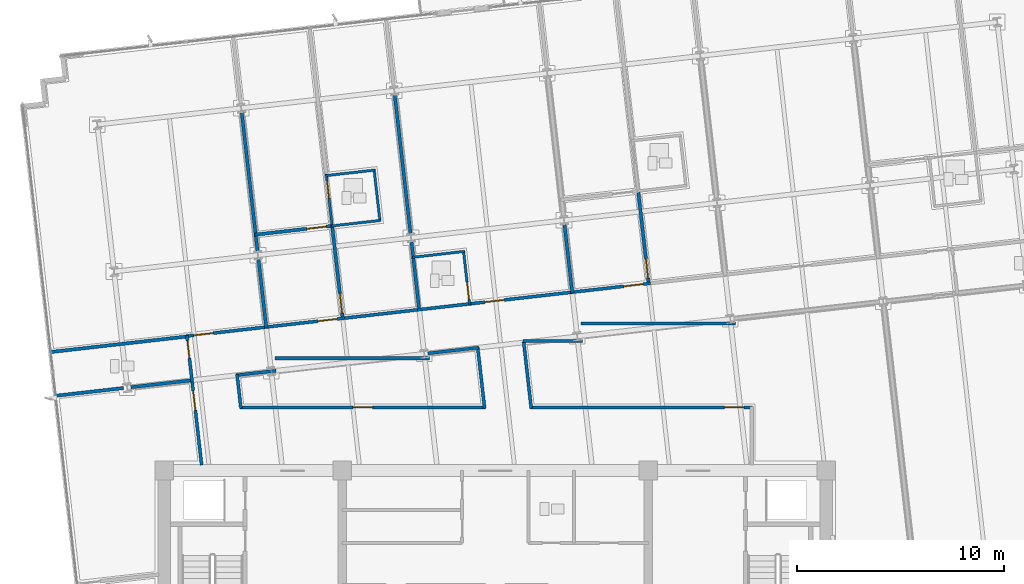
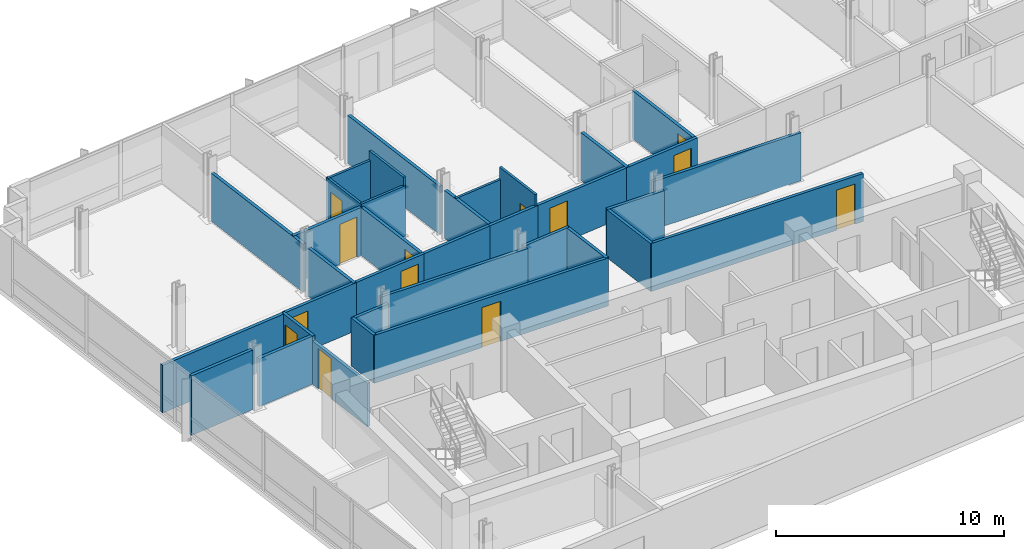
# One storey, part 9 of 16: 35 walls, 13 doors, 13 openings.
"""IFC4 building model written with IfcOpenShell, lengths in metres."""

from ifc_helpers import new_model, si_unit, direction, frame, frame_2d, origin, place, context, subcontext, project, spatial, rectangle, extrude, material, layer, layer_set, type_object, element, fill, save


model = new_model("IFC4")

# Units and contexts
model_context = context("Model", 3, precision=1e-05, world=origin(), true_north=direction((0.0, 1.0)))
body_context = subcontext(model_context, "Body", "Model", "MODEL_VIEW")
ifc_project = project(units=[si_unit("LENGTHUNIT", "METRE"), si_unit("AREAUNIT", "SQUARE_METRE"), si_unit("VOLUMEUNIT", "CUBIC_METRE"), si_unit("PLANEANGLEUNIT", "RADIAN"), si_unit("MASSUNIT", "GRAM", prefix="KILO")], contexts=[model_context])

# Site, building, storey
site_placement = place(None, origin())
site = spatial("IfcSite", under=ifc_project, at=site_placement, CompositionType="ELEMENT")
building_placement = place(site_placement, origin())
building = spatial("IfcBuilding", under=site, at=building_placement, Name="Solmavex Isthmus Hotel", CompositionType="ELEMENT")
storey_placement = place(building_placement, frame((0.0, 0.0, 208.949951171875)))
storey = spatial("IfcBuildingStorey", under=building, at=storey_placement, Name="L56", CompositionType="ELEMENT", Elevation=208.949951171875)

# Walls
ifc_material_1 = material(Name="Gypsum plasterboard lining", Category="gypsum")
ifc_layer_1 = layer(ifc_material_1, 0.159912109375)
ifc_layer_set_1 = layer_set([ifc_layer_1], Name="Gypsum plasterboard lining")
wall_type_1 = type_object("IfcWallType", Name="IW-COMP-160", PredefinedType="PARTITIONING", material=ifc_layer_set_1)
wall_1_placement = place(storey_placement, frame((-12.262939453125, 14.84326171875, 0.0), z_axis=(0.0, 0.0, 1.0), x_axis=(0.113177968069, -0.993574731736, 0.0)))
element("IfcWall", 1, at=wall_1_placement, inside=storey, type_object=wall_type_1, Name="Interior Partition Wall W-L56-P026", PredefinedType="PARTITIONING", context=body_context, shape_type="SweptSolid", body=[
    extrude(rectangle(XDim=6.79931640625, YDim=0.159912109375, at=frame_2d((3.399658203125, 0.0))), origin(), (0.0, 0.0, 1.0), 2.572265625),
])
wall_2_placement = place(storey_placement, frame((-11.453369140625, 7.737060546875, 0.0), z_axis=(0.0, 0.0, 1.0), x_axis=(0.113229088195, -0.993568907317, 0.0)))
element("IfcWall", 2, at=wall_2_placement, inside=storey, type_object=wall_type_1, Name="Interior Partition Wall W-L56-P027", PredefinedType="PARTITIONING", context=body_context, shape_type="SweptSolid", body=[
    extrude(rectangle(XDim=3.361572265625, YDim=0.159912109375, at=frame_2d((1.6806640625, 0.0))), origin(), (0.0, 0.0, 1.0), 2.572265625),
])
wall_3_placement = place(storey_placement, frame((-14.86865234375, 3.98486328125, 0.0), z_axis=(0.0, 0.0, 1.0), x_axis=(-0.993568743641, -0.113230524415, 0.0)))
element("IfcWall", 3, at=wall_3_placement, inside=storey, type_object=wall_type_1, Name="Interior Partition Wall W-L56-P029", PredefinedType="PARTITIONING", context=body_context, shape_type="SweptSolid", body=[
    extrude(rectangle(XDim=6.7099609375, YDim=0.159912109375, at=frame_2d((3.35498046875, 0.0))), origin(), (0.0, 0.0, 1.0), 2.5576171875),
])

# Wall, opening, door
wall_4_placement = place(storey_placement, frame((-11.626220703125, 8.9013671875, 0.0), z_axis=(0.0, 0.0, 1.0), x_axis=(0.993567388358, 0.113242416041, 0.0)))
wall_4 = element("IfcWall", 4, at=wall_4_placement, inside=storey, type_object=wall_type_1, Name="Interior Partition Wall W-L56-P030", PredefinedType="PARTITIONING", context=body_context, shape_type="SweptSolid", body=[
    extrude(rectangle(XDim=3.802978515625, YDim=0.159912109375, at=frame_2d((1.9013671875, 0.0))), origin(), (0.0, 0.0, 1.0), 2.572265625),
])
opening_1_placement = place(wall_4_placement, frame((2.52099609375, 0.0, 0.0)))
opening_1 = element("IfcOpeningElement", 5, at=opening_1_placement, cuts=wall_4, Name="Opening ID-C095", PredefinedType="OPENING", context=body_context, shape_type="SweptSolid", body=[
    extrude(rectangle(XDim=0.949951171875, YDim=2.14990234375, at=frame_2d((0.47509765625, 1.074951171875))), frame((0.0, 0.08984375, 0.0), z_axis=(0.0, -1.0, 0.0), x_axis=(1.0, 0.0, 0.0)), (0.0, 0.0, 1.0), 0.179931640625),
])
ifc_material_2 = material(Name="Hardwood timber", Category="wood")
door_type_1 = type_object("IfcDoorType", Name="IDR-FD60-0950", OperationType="NOTDEFINED", PredefinedType="DOOR", material=ifc_material_2)
door_1_placement = place(opening_1_placement, origin())
door_1 = element("IfcDoor", 6, at=door_1_placement, inside=storey, type_object=door_type_1, Name="Premier Hospitality Suite Master Bedroom Door L56-03", OperationType="SINGLE_SWING_LEFT", OverallHeight=2.14990234375, OverallWidth=0.949951171875, PredefinedType="DOOR", context=body_context, shape_type="SweptSolid", body=[
    extrude(rectangle(XDim=0.949951171875, YDim=2.14990234375, at=frame_2d((0.47509765625, 1.074951171875))), frame((0.0, 0.02490234375, 0.0), z_axis=(0.0, -1.0, 0.0), x_axis=(1.0, 0.0, 0.0)), (0.0, 0.0, 1.0), 0.050048828125),
])
fill(opening_1, door_1)

wall_5_placement = place(storey_placement, frame((-7.89208984375, 9.3671875, 0.0), z_axis=(0.0, 0.0, 1.0), x_axis=(0.113217200695, -0.993570261968, 0.0)))
wall_5 = element("IfcWall", 7, at=wall_5_placement, inside=storey, type_object=wall_type_1, Name="Interior Partition Wall W-L56-P031", PredefinedType="PARTITIONING", context=body_context, shape_type="SweptSolid", body=[
    extrude(rectangle(XDim=4.578125, YDim=0.159912109375, at=frame_2d((2.2890625, 0.0))), origin(), (0.0, 0.0, 1.0), 2.572265625),
])
opening_2_placement = place(wall_5_placement, frame((3.3251953125, 0.0, 0.0)))
opening_2 = element("IfcOpeningElement", 8, at=opening_2_placement, cuts=wall_5, Name="Opening ID-C095", PredefinedType="OPENING", context=body_context, shape_type="SweptSolid", body=[
    extrude(rectangle(XDim=0.949951171875, YDim=2.14990234375, at=frame_2d((0.47509765625, 1.074951171875))), frame((0.0, 0.08984375, 0.0), z_axis=(0.0, -1.0, 0.0), x_axis=(1.0, 0.0, 0.0)), (0.0, 0.0, 1.0), 0.179931640625),
])
door_2_placement = place(opening_2_placement, origin())
door_2 = element("IfcDoor", 9, at=door_2_placement, inside=storey, type_object=door_type_1, Name="Premier Hospitality Suite Living Lounge Door L56-04", OperationType="SINGLE_SWING_RIGHT", OverallHeight=2.14990234375, OverallWidth=0.949951171875, PredefinedType="DOOR", context=body_context, shape_type="SweptSolid", body=[
    extrude(rectangle(XDim=0.949951171875, YDim=2.14990234375, at=frame_2d((0.47509765625, 1.074951171875))), frame((0.0, 0.02490234375, 0.0), z_axis=(0.0, -1.0, 0.0), x_axis=(1.0, 0.0, 0.0)), (0.0, 0.0, 1.0), 0.050048828125),
])
fill(opening_2, door_2)

# Walls
wall_6_placement = place(storey_placement, frame((-4.864990234375, 15.68603515625, 0.0), z_axis=(0.0, 0.0, 1.0), x_axis=(0.11321341463, -0.993570693382, 0.0)))
element("IfcWall", 10, at=wall_6_placement, inside=storey, type_object=wall_type_1, Name="Interior Partition Wall W-L56-P038", PredefinedType="PARTITIONING", context=body_context, shape_type="SweptSolid", body=[
    extrude(rectangle(XDim=6.79931640625, YDim=0.159912109375, at=frame_2d((3.399658203125, 0.0))), origin(), (0.0, 0.0, 1.0), 2.572265625),
])
for number, where, z_axis, x_axis, name in (
    (11, (-4.05517578125, 8.580078125, 0.0), (0.0, 0.0, 1.0), (0.113149223935, -0.993578005555, 0.0), "Interior Partition Wall W-L56-P039"),
    (12, (3.3427734375, 9.4228515625, 0.0), (0.0, 0.0, 1.0), (0.113229088195, -0.993568907317, 0.0), "Interior Partition Wall W-L56-P043"),
):
    element("IfcWall", number, at=place(storey_placement, frame(where, z_axis=z_axis, x_axis=x_axis)), inside=storey, type_object=wall_type_1, Name=name, PredefinedType="PARTITIONING", context=body_context, shape_type="SweptSolid", body=[
        extrude(rectangle(XDim=3.361572265625, YDim=0.159912109375, at=frame_2d((1.6806640625, 0.0))), origin(), (0.0, 0.0, 1.0), 2.572265625),
    ])

# Wall, opening, door
wall_7_placement = place(storey_placement, frame((6.904296875, 11.052978515625, 0.0), z_axis=(0.0, 0.0, 1.0), x_axis=(0.113164554921, -0.993576259534, 0.0)))
wall_7 = element("IfcWall", 13, at=wall_7_placement, inside=storey, type_object=wall_type_1, Name="Interior Partition Wall W-L56-P046", PredefinedType="PARTITIONING", context=body_context, shape_type="SweptSolid", body=[
    extrude(rectangle(XDim=4.577880859375, YDim=0.159912109375, at=frame_2d((2.2890625, 0.0))), origin(), (0.0, 0.0, 1.0), 2.572265625),
])
opening_3_placement = place(wall_7_placement, frame((3.3251953125, 0.0, 0.0)))
opening_3 = element("IfcOpeningElement", 14, at=opening_3_placement, cuts=wall_7, Name="Opening ID-C095", PredefinedType="OPENING", context=body_context, shape_type="SweptSolid", body=[
    extrude(rectangle(XDim=0.949951171875, YDim=2.14990234375, at=frame_2d((0.47509765625, 1.074951171875))), frame((0.0, 0.08984375, 0.0), z_axis=(0.0, -1.0, 0.0), x_axis=(1.0, 0.0, 0.0)), (0.0, 0.0, 1.0), 0.179931640625),
])
door_3_placement = place(opening_3_placement, origin())
door_3 = element("IfcDoor", 15, at=door_3_placement, inside=storey, type_object=door_type_1, Name="Diplomatic Suite Living Lounge Door L56-10", OperationType="SINGLE_SWING_RIGHT", OverallHeight=2.14990234375, OverallWidth=0.949951171875, PredefinedType="DOOR", context=body_context, shape_type="SweptSolid", body=[
    extrude(rectangle(XDim=0.949951171875, YDim=2.14990234375, at=frame_2d((0.47509765625, 1.074951171875))), frame((0.0, 0.02490234375, 0.0), z_axis=(0.0, -1.0, 0.0), x_axis=(1.0, 0.0, 0.0)), (0.0, 0.0, 1.0), 0.050048828125),
])
fill(opening_3, door_3)

# Walls
wall_8_placement = place(storey_placement, frame((-17.97216796875, 1.4873046875, 0.0), z_axis=(0.0, 0.0, 1.0), x_axis=(-0.993575433752, -0.113171804991, 0.0)))
element("IfcWall", 16, at=wall_8_placement, inside=storey, type_object=wall_type_1, Name="Interior Partition Wall W-L56-P066", PredefinedType="PARTITIONING", context=body_context, shape_type="SweptSolid", body=[
    extrude(rectangle(XDim=3.34375, YDim=0.159912109375, at=frame_2d((1.671875, 0.0))), origin(), (0.0, 0.0, 1.0), 3.18994140625),
])
wall_9_placement = place(storey_placement, frame((-14.62744140625, 1.868408203125, 0.0), z_axis=(0.0, 0.0, 1.0), x_axis=(-0.993574646464, -0.113178716659, 0.0)))
element("IfcWall", 17, at=wall_9_placement, inside=storey, type_object=wall_type_1, Name="Interior Partition Wall W-L56-P067", PredefinedType="PARTITIONING", context=body_context, shape_type="SweptSolid", body=[
    extrude(rectangle(XDim=3.013427734375, YDim=0.159912109375, at=frame_2d((1.5068359375, 0.0))), origin(), (0.0, 0.0, 1.0), 2.572265625),
])

# Wall, opening, door
ifc_layer_2 = layer(ifc_material_1, 0.14990234375)
ifc_layer_set_2 = layer_set([ifc_layer_2], Name="Gypsum plasterboard lining")
wall_type_2 = type_object("IfcWallType", Name="IW-CORR-150", PredefinedType="PARTITIONING", material=ifc_layer_set_2)
wall_10_placement = place(storey_placement, frame((-14.950439453125, 3.99560546875, 0.0), z_axis=(0.0, 0.0, 1.0), x_axis=(0.993575504711, 0.11317118201, 0.0)))
wall_10 = element("IfcWall", 18, at=wall_10_placement, inside=storey, type_object=wall_type_2, Name="Interior Partition Wall W-L56-P001", PredefinedType="PARTITIONING", context=body_context, shape_type="SweptSolid", body=[
    extrude(rectangle(XDim=3.980224609375, YDim=0.14990234375, at=frame_2d((1.990234375, 0.0))), origin(), (0.0, 0.0, 1.0), 2.572265625),
])
opening_4_placement = place(wall_10_placement, frame((0.368408203125, 0.0, 0.0)))
opening_4 = element("IfcOpeningElement", 19, at=opening_4_placement, cuts=wall_10, Name="Opening ID-C095", PredefinedType="OPENING", context=body_context, shape_type="SweptSolid", body=[
    extrude(rectangle(XDim=0.949951171875, YDim=2.14990234375, at=frame_2d((0.47509765625, 1.074951171875))), frame((0.0, 0.0849609375, 0.0), z_axis=(0.0, -1.0, 0.0), x_axis=(1.0, 0.0, 0.0)), (0.0, 0.0, 1.0), 0.169921875),
])
door_4_placement = place(opening_4_placement, origin())
door_4 = element("IfcDoor", 20, at=door_4_placement, inside=storey, type_object=door_type_1, Name="Executive Hospitality Lounge Door L56-01", OperationType="SINGLE_SWING_LEFT", OverallHeight=2.14990234375, OverallWidth=0.949951171875, PredefinedType="DOOR", context=body_context, shape_type="SweptSolid", body=[
    extrude(rectangle(XDim=0.949951171875, YDim=2.14990234375, at=frame_2d((0.47509765625, 1.074951171875))), frame((0.0, 0.02490234375, 0.0), z_axis=(0.0, -1.0, 0.0), x_axis=(1.0, 0.0, 0.0)), (0.0, 0.0, 1.0), 0.050048828125),
])
fill(opening_4, door_4)

wall_11_placement = place(storey_placement, frame((-11.158935546875, 4.427490234375, 0.0), z_axis=(0.0, 0.0, 1.0), x_axis=(0.993567244528, 0.113243677975, 0.0)))
wall_11 = element("IfcWall", 21, at=wall_11_placement, inside=storey, type_object=wall_type_2, Name="Interior Partition Wall W-L56-P002", PredefinedType="PARTITIONING", context=body_context, shape_type="SweptSolid", body=[
    extrude(rectangle(XDim=3.886962890625, YDim=0.14990234375, at=frame_2d((1.943359375, 0.0))), origin(), (0.0, 0.0, 1.0), 2.572265625),
])
opening_5_placement = place(wall_11_placement, frame((2.587890625, 0.0, 0.0)))
opening_5 = element("IfcOpeningElement", 22, at=opening_5_placement, cuts=wall_11, Name="Opening ID-C095", PredefinedType="OPENING", context=body_context, shape_type="SweptSolid", body=[
    extrude(rectangle(XDim=0.949951171875, YDim=2.14990234375, at=frame_2d((0.47509765625, 1.074951171875))), frame((0.0, 0.0849609375, 0.0), z_axis=(0.0, -1.0, 0.0), x_axis=(1.0, 0.0, 0.0)), (0.0, 0.0, 1.0), 0.169921875),
])
door_5_placement = place(opening_5_placement, origin())
door_5 = element("IfcDoor", 23, at=door_5_placement, inside=storey, type_object=door_type_1, Name="Premier Hospitality Suite Entrance Hall Door L56-02", OperationType="SINGLE_SWING_RIGHT", OverallHeight=2.14990234375, OverallWidth=0.949951171875, PredefinedType="DOOR", context=body_context, shape_type="SweptSolid", body=[
    extrude(rectangle(XDim=0.949951171875, YDim=2.14990234375, at=frame_2d((0.47509765625, 1.074951171875))), frame((0.0, 0.02490234375, 0.0), z_axis=(0.0, -1.0, 0.0), x_axis=(1.0, 0.0, 0.0)), (0.0, 0.0, 1.0), 0.050048828125),
])
fill(opening_5, door_5)

# Wall
wall_12_placement = place(storey_placement, frame((-7.459716796875, 4.84912109375, 0.0), z_axis=(0.0, 0.0, 1.0), x_axis=(0.993573504889, 0.113188737881, 0.0)))
element("IfcWall", 24, at=wall_12_placement, inside=storey, type_object=wall_type_2, Name="Interior Partition Wall W-L56-P003", PredefinedType="PARTITIONING", context=body_context, shape_type="SweptSolid", body=[
    extrude(rectangle(XDim=3.88671875, YDim=0.14990234375, at=frame_2d((1.943359375, 0.0))), origin(), (0.0, 0.0, 1.0), 2.572265625),
])

# Wall, opening, door
wall_13_placement = place(storey_placement, frame((-1.326416015625, 5.5478515625, 0.0), z_axis=(0.0, 0.0, 1.0), x_axis=(0.993569374626, 0.113224987546, 0.0)))
wall_13 = element("IfcWall", 25, at=wall_13_placement, inside=storey, type_object=wall_type_2, Name="Interior Partition Wall W-L56-P004", PredefinedType="PARTITIONING", context=body_context, shape_type="SweptSolid", body=[
    extrude(rectangle(XDim=5.159912109375, YDim=0.14990234375, at=frame_2d((2.580078125, 0.0))), origin(), (0.0, 0.0, 1.0), 2.572265625),
])
opening_6_placement = place(wall_13_placement, frame((0.82470703125, 0.0, 0.0)))
opening_6 = element("IfcOpeningElement", 26, at=opening_6_placement, cuts=wall_13, Name="Opening ID-C095", PredefinedType="OPENING", context=body_context, shape_type="SweptSolid", body=[
    extrude(rectangle(XDim=0.949951171875, YDim=2.14990234375, at=frame_2d((0.47509765625, 1.074951171875))), frame((0.0, 0.0849609375, 0.0), z_axis=(0.0, -1.0, 0.0), x_axis=(1.0, 0.0, 0.0)), (0.0, 0.0, 1.0), 0.169921875),
])
door_6_placement = place(opening_6_placement, origin())
door_6 = element("IfcDoor", 27, at=door_6_placement, inside=storey, type_object=door_type_1, Name="Junior Suite Door L56-06", OperationType="SINGLE_SWING_RIGHT", OverallHeight=2.14990234375, OverallWidth=0.949951171875, PredefinedType="DOOR", context=body_context, shape_type="SweptSolid", body=[
    extrude(rectangle(XDim=0.949951171875, YDim=2.14990234375, at=frame_2d((0.47509765625, 1.074951171875))), frame((0.0, 0.02490234375, 0.0), z_axis=(0.0, -1.0, 0.0), x_axis=(1.0, 0.0, 0.0)), (0.0, 0.0, 1.0), 0.050048828125),
])
fill(opening_6, door_6)

# Wall
wall_14_placement = place(storey_placement, frame((-3.7607421875, 5.2705078125, 0.0), z_axis=(0.0, 0.0, 1.0), x_axis=(0.993572349416, 0.113198880193, 0.0)))
element("IfcWall", 28, at=wall_14_placement, inside=storey, type_object=wall_type_2, Name="Interior Partition Wall W-L56-P005", PredefinedType="PARTITIONING", context=body_context, shape_type="SweptSolid", body=[
    extrude(rectangle(XDim=2.614013671875, YDim=0.14990234375, at=frame_2d((1.30712890625, 0.0))), origin(), (0.0, 0.0, 1.0), 2.572265625),
])

# Wall, opening, door
wall_15_placement = place(storey_placement, frame((3.637451171875, 6.11328125, 0.0), z_axis=(0.0, 0.0, 1.0), x_axis=(0.993567244528, 0.113243677975, 0.0)))
wall_15 = element("IfcWall", 29, at=wall_15_placement, inside=storey, type_object=wall_type_2, Name="Interior Partition Wall W-L56-P006", PredefinedType="PARTITIONING", context=body_context, shape_type="SweptSolid", body=[
    extrude(rectangle(XDim=3.886962890625, YDim=0.14990234375, at=frame_2d((1.943359375, 0.0))), origin(), (0.0, 0.0, 1.0), 2.572265625),
])
opening_7_placement = place(wall_15_placement, frame((2.587890625, 0.0, 0.0)))
opening_7 = element("IfcOpeningElement", 30, at=opening_7_placement, cuts=wall_15, Name="Opening ID-C095", PredefinedType="OPENING", context=body_context, shape_type="SweptSolid", body=[
    extrude(rectangle(XDim=0.949951171875, YDim=2.14990234375, at=frame_2d((0.47509765625, 1.074951171875))), frame((0.0, 0.0849609375, 0.0), z_axis=(0.0, -1.0, 0.0), x_axis=(1.0, 0.0, 0.0)), (0.0, 0.0, 1.0), 0.169921875),
])
door_7_placement = place(opening_7_placement, origin())
door_7 = element("IfcDoor", 31, at=door_7_placement, inside=storey, type_object=door_type_1, Name="Diplomatic Suite Entrance Hall Door L56-08", OperationType="SINGLE_SWING_RIGHT", OverallHeight=2.14990234375, OverallWidth=0.949951171875, PredefinedType="DOOR", context=body_context, shape_type="SweptSolid", body=[
    extrude(rectangle(XDim=0.949951171875, YDim=2.14990234375, at=frame_2d((0.47509765625, 1.074951171875))), frame((0.0, 0.02490234375, 0.0), z_axis=(0.0, -1.0, 0.0), x_axis=(1.0, 0.0, 0.0)), (0.0, 0.0, 1.0), 0.050048828125),
])
fill(opening_7, door_7)

wall_16_placement = place(storey_placement, frame((-14.657958984375, 1.782470703125, 0.0), z_axis=(0.0, 0.0, 1.0), x_axis=(-0.113179685294, 0.993574536125, 0.0)))
wall_16 = element("IfcWall", 32, at=wall_16_placement, inside=storey, type_object=wall_type_2, Name="Interior Partition Wall W-L56-P010", PredefinedType="PARTITIONING", context=body_context, shape_type="SweptSolid", body=[
    extrude(rectangle(XDim=2.251953125, YDim=0.14990234375, at=frame_2d((1.1259765625, 0.0))), origin(), (0.0, 0.0, 1.0), 2.572265625),
])
opening_8_placement = place(wall_16_placement, frame((1.156982421875, 0.0, 0.0)))
opening_8 = element("IfcOpeningElement", 33, at=opening_8_placement, cuts=wall_16, Name="Opening ID-R085", PredefinedType="OPENING", context=body_context, shape_type="SweptSolid", body=[
    extrude(rectangle(XDim=0.85009765625, YDim=2.050048828125, at=frame_2d((0.425048828125, 1.02490234375))), frame((0.0, 0.0849609375, 0.0), z_axis=(0.0, -1.0, 0.0), x_axis=(1.0, 0.0, 0.0)), (0.0, 0.0, 1.0), 0.169921875),
])
ifc_material_3 = material(Name="Steel ASTM A500 Grade C", Category="steel")
door_type_2 = type_object("IfcDoorType", Name="IDR-FD60-0850", OperationType="NOTDEFINED", PredefinedType="DOOR", material=ifc_material_3)
door_8_placement = place(opening_8_placement, frame((0.85009765625, 0.0, 0.0), z_axis=(0.0, 0.0, 1.0), x_axis=(-1.0, 0.0, 0.0)))
door_8 = element("IfcDoor", 34, at=door_8_placement, inside=storey, type_object=door_type_2, Name="Accessible Public Restroom WC Door L56-17", OperationType="SINGLE_SWING_LEFT", OverallHeight=2.050048828125, OverallWidth=0.85009765625, PredefinedType="DOOR", context=body_context, shape_type="SweptSolid", body=[
    extrude(rectangle(XDim=0.85009765625, YDim=2.050048828125, at=frame_2d((0.425048828125, 1.02490234375))), frame((0.0, 0.02490234375, 0.0), z_axis=(0.0, -1.0, 0.0), x_axis=(1.0, 0.0, 0.0)), (0.0, 0.0, 1.0), 0.050048828125),
])
fill(opening_8, door_8)

# Walls
wall_17_placement = place(storey_placement, frame((-10.6064453125, 2.32666015625, 0.0), z_axis=(0.0, 0.0, 1.0), x_axis=(-0.993564486687, -0.113267871856, 0.0)))
element("IfcWall", 35, at=wall_17_placement, inside=storey, type_object=wall_type_2, Name="Interior Partition Wall W-L56-P012", PredefinedType="PARTITIONING", context=body_context, shape_type="SweptSolid", body=[
    extrude(rectangle(XDim=1.927001953125, YDim=0.14990234375, at=frame_2d((0.96337890625, 0.0))), origin(), (0.0, 0.0, 1.0), 2.572265625),
])
wall_18_placement = place(storey_placement, frame((-12.48583984375, 2.15283203125, 0.0), z_axis=(0.0, 0.0, 1.0), x_axis=(0.113121752139, -0.993581133674, 0.0)))
element("IfcWall", 36, at=wall_18_placement, inside=storey, type_object=wall_type_2, Name="Interior Partition Wall W-L56-P013", PredefinedType="PARTITIONING", context=body_context, shape_type="SweptSolid", body=[
    extrude(rectangle(XDim=1.653076171875, YDim=0.14990234375, at=frame_2d((0.82666015625, 0.0))), origin(), (0.0, 0.0, 1.0), 2.572265625),
])

# Wall, opening, door
wall_19_placement = place(storey_placement, frame((-12.34326171875, 0.550048828125, 0.0), z_axis=(0.0, 0.0, 1.0), x_axis=(1.0, 0.0, 0.0)))
wall_19 = element("IfcWall", 37, at=wall_19_placement, inside=storey, type_object=wall_type_2, Name="Interior Partition Wall W-L56-P014", PredefinedType="PARTITIONING", context=body_context, shape_type="SweptSolid", body=[
    extrude(rectangle(XDim=11.86279296875, YDim=0.14990234375, at=frame_2d((5.931396484375, 0.0))), origin(), (0.0, 0.0, 1.0), 2.572265625),
])
opening_9_placement = place(wall_19_placement, frame((5.456298828125, 0.0, 0.0)))
opening_9 = element("IfcOpeningElement", 38, at=opening_9_placement, cuts=wall_19, Name="Opening ID-C095", PredefinedType="OPENING", context=body_context, shape_type="SweptSolid", body=[
    extrude(rectangle(XDim=0.949951171875, YDim=2.14990234375, at=frame_2d((0.47509765625, 1.074951171875))), frame((0.0, 0.0849609375, 0.0), z_axis=(0.0, -1.0, 0.0), x_axis=(1.0, 0.0, 0.0)), (0.0, 0.0, 1.0), 0.169921875),
])
door_9_placement = place(opening_9_placement, origin())
door_9 = element("IfcDoor", 39, at=door_9_placement, inside=storey, type_object=door_type_1, Name="Service Kitchenette Door L56-19", OperationType="SINGLE_SWING_LEFT", OverallHeight=2.14990234375, OverallWidth=0.949951171875, PredefinedType="DOOR", context=body_context, shape_type="SweptSolid", body=[
    extrude(rectangle(XDim=0.949951171875, YDim=2.14990234375, at=frame_2d((0.47509765625, 1.074951171875))), frame((0.0, 0.02490234375, 0.0), z_axis=(0.0, -1.0, 0.0), x_axis=(1.0, 0.0, 0.0)), (0.0, 0.0, 1.0), 0.050048828125),
])
fill(opening_9, door_9)

# Walls
wall_20_placement = place(storey_placement, frame((-0.515869140625, 0.51025390625, 0.0), z_axis=(0.0, 0.0, 1.0), x_axis=(-0.113283799092, 0.993562670828, 0.0)))
element("IfcWall", 40, at=wall_20_placement, inside=storey, type_object=wall_type_2, Name="Interior Partition Wall W-L56-P015", PredefinedType="PARTITIONING", context=body_context, shape_type="SweptSolid", body=[
    extrude(rectangle(XDim=2.987060546875, YDim=0.14990234375, at=frame_2d((1.49365234375, 0.0))), origin(), (0.0, 0.0, 1.0), 2.572265625),
])
wall_21_placement = place(storey_placement, frame((-0.809814453125, 3.44287109375, 0.0), z_axis=(0.0, 0.0, 1.0), x_axis=(-0.993568355418, -0.113233930922, 0.0)))
element("IfcWall", 41, at=wall_21_placement, inside=storey, type_object=wall_type_2, Name="Interior Partition Wall W-L56-P016", PredefinedType="PARTITIONING", context=body_context, shape_type="SweptSolid", body=[
    extrude(rectangle(XDim=2.466552734375, YDim=0.14990234375, at=frame_2d((1.2333984375, 0.0))), origin(), (0.0, 0.0, 1.0), 2.572265625),
])
wall_22_placement = place(storey_placement, frame((-3.180908203125, 2.9287109375, 0.0), z_axis=(0.0, 0.0, 1.0), x_axis=(-1.0, 0.0, 0.0)))
element("IfcWall", 42, at=wall_22_placement, inside=storey, type_object=wall_type_2, Name="Interior Partition Wall W-L56-P017", PredefinedType="PARTITIONING", context=body_context, shape_type="SweptSolid", body=[
    extrude(rectangle(XDim=7.477783203125, YDim=0.14990234375, at=frame_2d((3.73876953125, 0.0))), origin(), (0.0, 0.0, 1.0), 2.572265625),
])

# Wall, opening, door
wall_23_placement = place(storey_placement, frame((-14.19970703125, -2.23974609375, 0.0), z_axis=(0.0, 0.0, 1.0), x_axis=(-0.11319839611, 0.993572404568, 0.0)))
wall_23 = element("IfcWall", 43, at=wall_23_placement, inside=storey, type_object=wall_type_2, Name="Interior Partition Wall W-L56-P018", PredefinedType="PARTITIONING", context=body_context, shape_type="SweptSolid", body=[
    extrude(rectangle(XDim=4.212158203125, YDim=0.14990234375, at=frame_2d((2.10595703125, 0.0))), origin(), (0.0, 0.0, 1.0), 2.324951171875),
])
opening_10_placement = place(wall_23_placement, frame((2.67236328125, 0.0, 0.0)))
opening_10 = element("IfcOpeningElement", 44, at=opening_10_placement, cuts=wall_23, Name="Opening ID-C095", PredefinedType="OPENING", context=body_context, shape_type="SweptSolid", body=[
    extrude(rectangle(XDim=0.949951171875, YDim=2.14990234375, at=frame_2d((0.47509765625, 1.074951171875))), frame((0.0, 0.0849609375, 0.0), z_axis=(0.0, -1.0, 0.0), x_axis=(1.0, 0.0, 0.0)), (0.0, 0.0, 1.0), 0.169921875),
])
door_10_placement = place(opening_10_placement, frame((0.949951171875, 0.0, 0.0), z_axis=(0.0, 0.0, 1.0), x_axis=(-1.0, 0.0, 0.0)))
door_10 = element("IfcDoor", 45, at=door_10_placement, inside=storey, type_object=door_type_1, Name="Protocol Boardroom Door L56-20", OperationType="SINGLE_SWING_RIGHT", OverallHeight=2.14990234375, OverallWidth=0.949951171875, PredefinedType="DOOR", context=body_context, shape_type="SweptSolid", body=[
    extrude(rectangle(XDim=0.949951171875, YDim=2.14990234375, at=frame_2d((0.47509765625, 1.074951171875))), frame((0.0, 0.02490234375, 0.0), z_axis=(0.0, -1.0, 0.0), x_axis=(1.0, 0.0, 0.0)), (0.0, 0.0, 1.0), 0.050048828125),
])
fill(opening_10, door_10)

# Walls
wall_24_placement = place(storey_placement, frame((11.615478515625, 4.614501953125, 0.0), z_axis=(0.0, 0.0, 1.0), x_axis=(-1.0, 0.0, 0.0)))
element("IfcWall", 46, at=wall_24_placement, inside=storey, type_object=wall_type_2, Name="Interior Partition Wall W-L56-P020", PredefinedType="PARTITIONING", context=body_context, shape_type="SweptSolid", body=[
    extrude(rectangle(XDim=7.47802734375, YDim=0.14990234375, at=frame_2d((3.739013671875, 0.0))), origin(), (0.0, 0.0, 1.0), 2.572265625),
])
wall_25_placement = place(storey_placement, frame((4.21728515625, 3.771484375, 0.0), z_axis=(0.0, 0.0, 1.0), x_axis=(-1.0, 0.0, 0.0)))
element("IfcWall", 47, at=wall_25_placement, inside=storey, type_object=wall_type_2, Name="Interior Partition Wall W-L56-P021", PredefinedType="PARTITIONING", context=body_context, shape_type="SweptSolid", body=[
    extrude(rectangle(XDim=2.881103515625, YDim=0.14990234375, at=frame_2d((1.4404296875, 0.0))), origin(), (0.0, 0.0, 1.0), 2.572265625),
])
wall_26_placement = place(storey_placement, frame((1.37158203125, 3.731689453125, 0.0), z_axis=(0.0, 0.0, 1.0), x_axis=(0.113174940517, -0.993575076599, 0.0)))
element("IfcWall", 48, at=wall_26_placement, inside=storey, type_object=wall_type_2, Name="Interior Partition Wall W-L56-P022", PredefinedType="PARTITIONING", context=body_context, shape_type="SweptSolid", body=[
    extrude(rectangle(XDim=3.2421875, YDim=0.14990234375, at=frame_2d((1.62109375, 0.0))), origin(), (0.0, 0.0, 1.0), 2.572265625),
])

# Wall, opening, door
wall_27_placement = place(storey_placement, frame((1.694091796875, 0.550048828125, 0.0), z_axis=(0.0, 0.0, 1.0), x_axis=(1.0, 0.0, 0.0)))
wall_27 = element("IfcWall", 49, at=wall_27_placement, inside=storey, type_object=wall_type_2, Name="Interior Partition Wall W-L56-P023", PredefinedType="PARTITIONING", context=body_context, shape_type="SweptSolid", body=[
    extrude(rectangle(XDim=10.745849609375, YDim=0.14990234375, at=frame_2d((5.373046875, 0.0))), origin(), (0.0, 0.0, 1.0), 2.572265625),
])
opening_11_placement = place(wall_27_placement, frame((9.377685546875, 0.0, 0.0)))
opening_11 = element("IfcOpeningElement", 50, at=opening_11_placement, cuts=wall_27, Name="Opening ID-C095", PredefinedType="OPENING", context=body_context, shape_type="SweptSolid", body=[
    extrude(rectangle(XDim=0.949951171875, YDim=2.14990234375, at=frame_2d((0.47509765625, 1.074951171875))), frame((0.0, 0.0849609375, 0.0), z_axis=(0.0, -1.0, 0.0), x_axis=(1.0, 0.0, 0.0)), (0.0, 0.0, 1.0), 0.169921875),
])
door_11_placement = place(opening_11_placement, frame((0.949951171875, 0.0, 0.0), z_axis=(0.0, 0.0, 1.0), x_axis=(-1.0, 0.0, 0.0)))
door_11 = element("IfcDoor", 51, at=door_11_placement, inside=storey, type_object=door_type_1, Name="Catering Servery Kitchen Door L56-23", OperationType="SINGLE_SWING_LEFT", OverallHeight=2.14990234375, OverallWidth=0.949951171875, PredefinedType="DOOR", context=body_context, shape_type="SweptSolid", body=[
    extrude(rectangle(XDim=0.949951171875, YDim=2.14990234375, at=frame_2d((0.47509765625, 1.074951171875))), frame((0.0, 0.02490234375, 0.0), z_axis=(0.0, -1.0, 0.0), x_axis=(1.0, 0.0, 0.0)), (0.0, 0.0, 1.0), 0.050048828125),
])
fill(opening_11, door_11)

ifc_layer_3 = layer(ifc_material_1, 0.1201171875)
ifc_layer_set_3 = layer_set([ifc_layer_3], Name="Gypsum plasterboard lining")
wall_type_3 = type_object("IfcWallType", Name="IW-PART-120", PredefinedType="PARTITIONING", material=ifc_layer_set_3)
wall_28_placement = place(storey_placement, frame((-8.174072265625, 11.843017578125, 0.0), z_axis=(0.0, 0.0, 1.0), x_axis=(0.11315036097, -0.993577876068, 0.0)))
wall_28 = element("IfcWall", 52, at=wall_28_placement, inside=storey, type_object=wall_type_3, Name="Interior Partition Wall W-L56-P033", PredefinedType="PARTITIONING", context=body_context, shape_type="SweptSolid", body=[
    extrude(rectangle(XDim=2.572021484375, YDim=0.1201171875, at=frame_2d((1.2861328125, 0.0))), origin(), (0.0, 0.0, 1.0), 2.71826171875),
])
opening_12_placement = place(wall_28_placement, frame((0.337646484375, 0.0, 0.0)))
opening_12 = element("IfcOpeningElement", 53, at=opening_12_placement, cuts=wall_28, Name="Opening ID-U085", PredefinedType="OPENING", context=body_context, shape_type="SweptSolid", body=[
    extrude(rectangle(XDim=0.85009765625, YDim=2.10009765625, at=frame_2d((0.425048828125, 1.050048828125))), frame((0.0, 0.070068359375, 0.0), z_axis=(0.0, -1.0, 0.0), x_axis=(1.0, 0.0, 0.0)), (0.0, 0.0, 1.0), 0.14013671875),
])
door_type_3 = type_object("IfcDoorType", Name="IDR-UNR-0850", OperationType="NOTDEFINED", PredefinedType="DOOR", material=ifc_material_2)
door_12_placement = place(opening_12_placement, origin())
door_12 = element("IfcDoor", 54, at=door_12_placement, inside=storey, type_object=door_type_3, Name="En-suite Bathroom Door L56-05", OperationType="SINGLE_SWING_LEFT", OverallHeight=2.10009765625, OverallWidth=0.85009765625, PredefinedType="DOOR", context=body_context, shape_type="SweptSolid", body=[
    extrude(rectangle(XDim=0.85009765625, YDim=2.10009765625, at=frame_2d((0.425048828125, 1.050048828125))), frame((0.0, 0.02490234375, 0.0), z_axis=(0.0, -1.0, 0.0), x_axis=(1.0, 0.0, 0.0)), (0.0, 0.0, 1.0), 0.050048828125),
])
fill(opening_12, door_12)

# Walls
wall_29_placement = place(storey_placement, frame((-7.92724609375, 9.32275390625, 0.0), z_axis=(0.0, 0.0, 1.0), x_axis=(0.993562439402, 0.11328582881, 0.0)))
element("IfcWall", 55, at=wall_29_placement, inside=storey, type_object=wall_type_3, Name="Interior Partition Wall W-L56-P034", PredefinedType="PARTITIONING", context=body_context, shape_type="SweptSolid", body=[
    extrude(rectangle(XDim=2.40283203125, YDim=0.1201171875, at=frame_2d((1.201416015625, 0.0))), origin(), (0.0, 0.0, 1.0), 2.71826171875),
])
wall_30_placement = place(storey_placement, frame((-5.574951171875, 9.550537109375, 0.0), z_axis=(0.0, 0.0, 1.0), x_axis=(-0.113184642947, 0.993573971379, 0.0)))
element("IfcWall", 56, at=wall_30_placement, inside=storey, type_object=wall_type_3, Name="Interior Partition Wall W-L56-P035", PredefinedType="PARTITIONING", context=body_context, shape_type="SweptSolid", body=[
    extrude(rectangle(XDim=2.5302734375, YDim=0.1201171875, at=frame_2d((1.26513671875, 0.0))), origin(), (0.0, 0.0, 1.0), 3.18994140625),
])
wall_31_placement = place(storey_placement, frame((-5.817138671875, 12.029052734375, 0.0), z_axis=(0.0, 0.0, 1.0), x_axis=(-0.993573870401, -0.113185529362, 0.0)))
element("IfcWall", 57, at=wall_31_placement, inside=storey, type_object=wall_type_3, Name="Interior Partition Wall W-L56-P036", PredefinedType="PARTITIONING", context=body_context, shape_type="SweptSolid", body=[
    extrude(rectangle(XDim=2.40283203125, YDim=0.1201171875, at=frame_2d((1.201416015625, 0.0))), origin(), (0.0, 0.0, 1.0), 2.71826171875),
])

# Wall, opening, door
wall_32_placement = place(storey_placement, frame((-1.240478515625, 5.517333984375, 0.0), z_axis=(0.0, 0.0, 1.0), x_axis=(-0.113161716754, 0.993576582786, 0.0)))
wall_32 = element("IfcWall", 58, at=wall_32_placement, inside=storey, type_object=wall_type_3, Name="Interior Partition Wall W-L56-P040", PredefinedType="PARTITIONING", context=body_context, shape_type="SweptSolid", body=[
    extrude(rectangle(XDim=2.6298828125, YDim=0.1201171875, at=frame_2d((1.31494140625, 0.0))), origin(), (0.0, 0.0, 1.0), 3.18994140625),
])
opening_13_placement = place(wall_32_placement, frame((0.247314453125, 0.0, 0.0)))
opening_13 = element("IfcOpeningElement", 59, at=opening_13_placement, cuts=wall_32, Name="Opening ID-U085", PredefinedType="OPENING", context=body_context, shape_type="SweptSolid", body=[
    extrude(rectangle(XDim=0.85009765625, YDim=2.10009765625, at=frame_2d((0.425048828125, 1.050048828125))), frame((0.0, 0.070068359375, 0.0), z_axis=(0.0, -1.0, 0.0), x_axis=(1.0, 0.0, 0.0)), (0.0, 0.0, 1.0), 0.14013671875),
])
door_13_placement = place(opening_13_placement, frame((0.85009765625, 0.0, 0.0), z_axis=(0.0, 0.0, 1.0), x_axis=(-1.0, 0.0, 0.0)))
door_13 = element("IfcDoor", 60, at=door_13_placement, inside=storey, type_object=door_type_3, Name="En-suite Bathroom Door L56-07", OperationType="SINGLE_SWING_LEFT", OverallHeight=2.10009765625, OverallWidth=0.85009765625, PredefinedType="DOOR", context=body_context, shape_type="SweptSolid", body=[
    extrude(rectangle(XDim=0.85009765625, YDim=2.10009765625, at=frame_2d((0.425048828125, 1.050048828125))), frame((0.0, 0.02490234375, 0.0), z_axis=(0.0, -1.0, 0.0), x_axis=(1.0, 0.0, 0.0)), (0.0, 0.0, 1.0), 0.050048828125),
])
fill(opening_13, door_13)

# Wall
wall_33_placement = place(storey_placement, frame((-1.493896484375, 8.09521484375, 0.0), z_axis=(0.0, 0.0, 1.0), x_axis=(-0.99357273507, -0.113195495167, 0.0)))
element("IfcWall", 61, at=wall_33_placement, inside=storey, type_object=wall_type_3, Name="Interior Partition Wall W-L56-P041", PredefinedType="PARTITIONING", context=body_context, shape_type="SweptSolid", body=[
    extrude(rectangle(XDim=2.530029296875, YDim=0.1201171875, at=frame_2d((1.26513671875, 0.0))), origin(), (0.0, 0.0, 1.0), 2.572265625),
])

save(model, "model.ifc")
